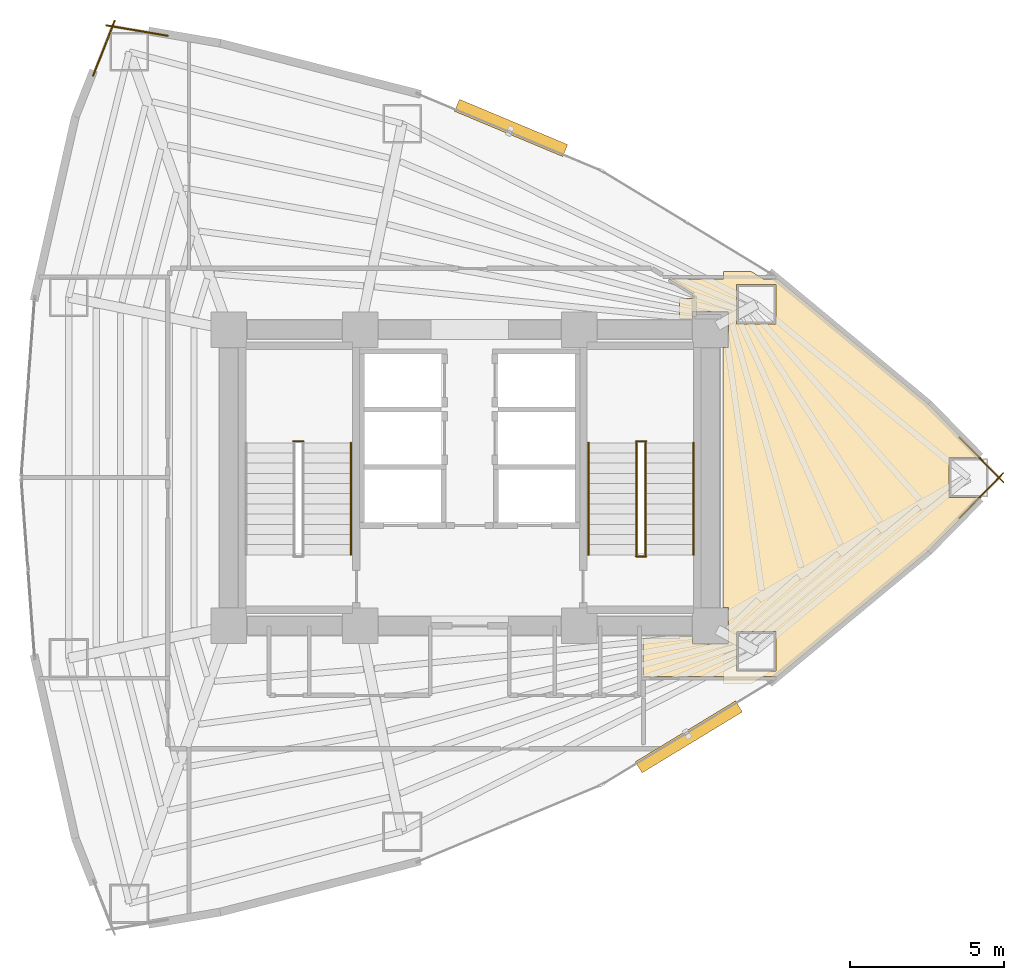
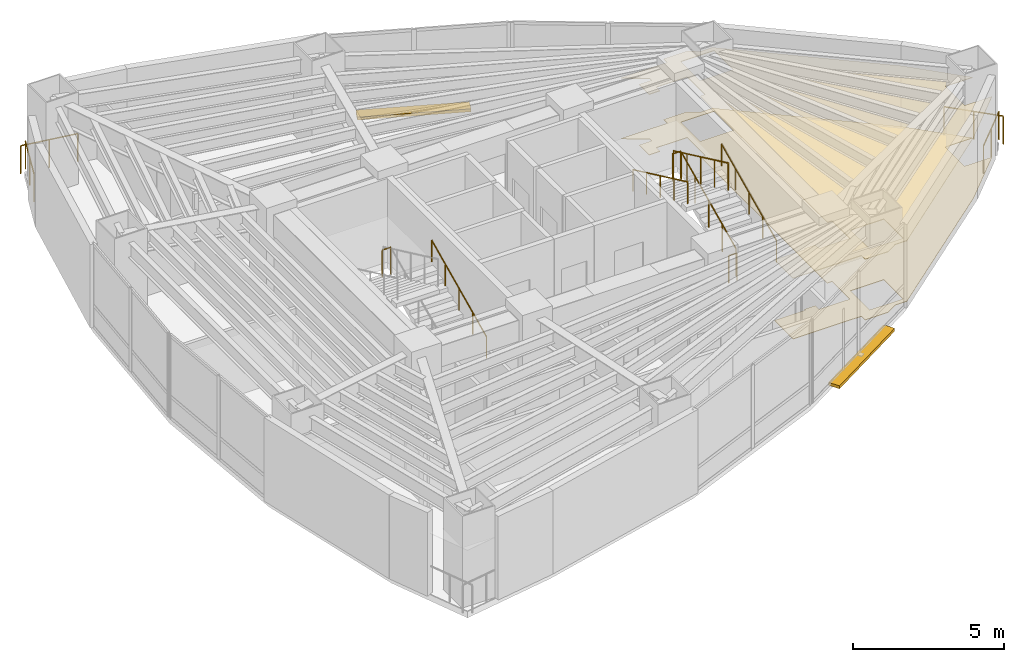
# One storey, part 16 of 16: 12 railings, 2 coverings, 2 shading devices.
"""IFC4 building model written with IfcOpenShell, lengths in metres."""

from ifc_helpers import new_model, si_unit, direction, frame, origin, origin_2d, place, context, subcontext, project, spatial, polyline, rectangle, circle, outline, extrude, material, layer, layer_set, type_object, element, save


model = new_model("IFC4")

# Units and contexts
model_context = context("Model", 3, precision=1e-05, world=origin(), true_north=direction((0.0, 1.0)))
body_context = subcontext(model_context, "Body", "Model", "MODEL_VIEW")
ifc_project = project(units=[si_unit("LENGTHUNIT", "METRE"), si_unit("AREAUNIT", "SQUARE_METRE"), si_unit("VOLUMEUNIT", "CUBIC_METRE"), si_unit("PLANEANGLEUNIT", "RADIAN"), si_unit("MASSUNIT", "GRAM", prefix="KILO")], contexts=[model_context])

# Site, building, storey
site_placement = place(None, origin())
site = spatial("IfcSite", under=ifc_project, at=site_placement, CompositionType="ELEMENT")
building_placement = place(site_placement, origin())
building = spatial("IfcBuilding", under=site, at=building_placement, Name="Menara Vayukalpa", CompositionType="ELEMENT")
storey_placement = place(building_placement, frame((0.0, 0.0, 79.679931640625)))
storey = spatial("IfcBuildingStorey", under=building, at=storey_placement, Name="L19", CompositionType="ELEMENT", Elevation=79.679931640625)

# Coverings
ifc_material_1 = material(Name="Mineral Fibre Acoustic Ceiling Tile", Category="masonry")
ifc_layer_1 = layer(ifc_material_1, 0.02490234375)
ifc_layer_set_1 = layer_set([ifc_layer_1], Name="Mineral Fibre Acoustic Ceiling Tile")
covering_type_1 = type_object("IfcCoveringType", Name="COV-CLG1", PredefinedType="CEILING", material=ifc_layer_set_1)
covering_1_placement = place(storey_placement, frame((0.0, 0.0, 2.449951171875)))
element("IfcCovering", 1, at=covering_1_placement, inside=storey, type_object=covering_type_1, Name="L19 Open Plan Office Workplace Acoustic Ceiling", PredefinedType="CEILING", context=body_context, shape_type="SweptSolid", body=[
    extrude(outline(polyline([(31.218994140625, 15.56005859375), (31.218017578125, 15.560302734375), (31.217041015625, 15.560302734375), (31.21630859375, 15.560791015625), (31.21533203125, 15.561279296875), (31.21435546875, 15.561767578125), (31.213623046875, 15.562255859375), (31.212890625, 15.56298828125), (31.21240234375, 15.563720703125), (31.211669921875, 15.564453125), (31.211181640625, 15.565185546875), (31.210693359375, 15.566162109375), (31.21044921875, 15.567138671875), (31.210205078125, 15.568115234375), (31.2099609375, 15.569091796875), (31.2099609375, 15.570068359375), (31.2099609375, 16.780029296875), (31.2099609375, 16.781005859375), (31.210205078125, 16.781982421875), (31.21044921875, 16.782958984375), (31.210693359375, 16.78369140625), (31.211181640625, 16.78466796875), (31.211669921875, 16.78564453125), (31.21240234375, 16.786376953125), (31.212890625, 16.787109375), (31.213623046875, 16.78759765625), (31.21435546875, 16.788330078125), (31.21533203125, 16.788818359375), (31.21630859375, 16.789306640625), (31.217041015625, 16.78955078125), (31.218017578125, 16.789794921875), (31.218994140625, 16.7900390625), (31.219970703125, 16.7900390625), (32.389892578125, 16.7900390625), (32.389892578125, 16.85009765625), (32.81005859375, 16.85009765625), (32.81005859375, 16.610107421875), (33.989990234375, 16.610107421875), (33.989990234375, 17.7900390625), (33.81005859375, 17.7900390625), (33.81005859375, 26.2099609375), (33.989990234375, 26.2099609375), (33.989990234375, 27.389892578125), (32.81005859375, 27.389892578125), (32.81005859375, 27.14990234375), (32.389892578125, 27.14990234375), (32.389892578125, 27.81005859375), (32.8701171875, 27.81005859375), (32.8701171875, 27.89111328125), (32.86962890625, 27.8984375), (32.868408203125, 27.905517578125), (32.86669921875, 27.912353515625), (32.8642578125, 27.919189453125), (32.861083984375, 27.925537109375), (32.857177734375, 27.931640625), (32.852783203125, 27.937255859375), (32.847900390625, 27.9423828125), (32.84228515625, 27.947021484375), (32.836181640625, 27.951171875), (32.06201171875, 28.42138671875), (32.06103515625, 28.422119140625), (32.060302734375, 28.422607421875), (32.0595703125, 28.42333984375), (32.05908203125, 28.424072265625), (32.05859375, 28.425048828125), (32.05810546875, 28.42578125), (32.0576171875, 28.4267578125), (32.057373046875, 28.427734375), (32.05712890625, 28.4287109375), (32.05712890625, 28.4296875), (32.05712890625, 28.4306640625), (32.05712890625, 28.431640625), (32.0576171875, 28.4326171875), (32.057861328125, 28.43359375), (32.05810546875, 28.4345703125), (32.05859375, 28.435302734375), (32.059326171875, 28.436279296875), (32.059814453125, 28.43701171875), (32.060791015625, 28.437744140625), (32.0615234375, 28.438232421875), (32.062255859375, 28.438720703125), (32.063232421875, 28.439208984375), (32.064208984375, 28.439697265625), (32.065185546875, 28.439697265625), (32.066162109375, 28.43994140625), (32.067138671875, 28.43994140625), (33.826904296875, 28.43994140625), (33.826904296875, 28.681640625), (34.71533203125, 28.681640625), (35.11328125, 28.43994140625), (35.5244140625, 28.43994140625), (35.530517578125, 28.440185546875), (35.5361328125, 28.441162109375), (35.5419921875, 28.442626953125), (35.54736328125, 28.444580078125), (35.5498046875, 28.445556640625), (35.550537109375, 28.446044921875), (35.551513671875, 28.4462890625), (35.552490234375, 28.446533203125), (35.55322265625, 28.446533203125), (35.55419921875, 28.446533203125), (35.55517578125, 28.446533203125), (35.55615234375, 28.4462890625), (35.55712890625, 28.446044921875), (35.55810546875, 28.44580078125), (35.558837890625, 28.4453125), (35.5595703125, 28.44482421875), (35.560302734375, 28.4443359375), (40.46044921875, 24.380615234375), (40.461181640625, 24.3798828125), (42.169677734375, 22.639892578125), (41.121826171875, 22.639892578125), (41.121826171875, 21.360107421875), (42.169677734375, 21.360107421875), (40.461181640625, 19.6201171875), (40.46044921875, 19.619384765625), (35.560302734375, 15.5556640625), (35.5595703125, 15.55517578125), (35.558837890625, 15.5546875), (35.55810546875, 15.55419921875), (35.55712890625, 15.553955078125), (35.55615234375, 15.5537109375), (35.55517578125, 15.553466796875), (35.55419921875, 15.553466796875), (35.55322265625, 15.553466796875), (35.552490234375, 15.553466796875), (35.551513671875, 15.5537109375), (35.550537109375, 15.553955078125), (35.5498046875, 15.554443359375), (35.54736328125, 15.555419921875), (35.5419921875, 15.557373046875), (35.5361328125, 15.558837890625), (35.530517578125, 15.559814453125), (35.5244140625, 15.56005859375), (35.11328125, 15.56005859375), (34.71533203125, 15.318359375), (33.826904296875, 15.318359375), (33.826904296875, 15.56005859375), (31.219970703125, 15.56005859375), (31.218994140625, 15.56005859375)]), holes=[polyline([(35.52685546875, 17.018310546875), (34.246826171875, 17.018310546875), (34.246826171875, 15.73828125), (35.52685546875, 15.73828125), (35.52685546875, 17.018310546875)]), polyline([(35.52685546875, 26.981689453125), (35.52685546875, 28.26171875), (34.246826171875, 28.26171875), (34.246826171875, 26.981689453125), (35.52685546875, 26.981689453125)])]), origin(), (0.0, 0.0, 1.0), 0.025146484375),
])
ifc_material_2 = material(Name="Porcelain Stoneware Floor Tile", Category="masonry")
ifc_layer_2 = layer(ifc_material_2, 0.02001953125)
ifc_layer_set_2 = layer_set([ifc_layer_2], Name="Porcelain Stoneware Floor Tile")
covering_type_2 = type_object("IfcCoveringType", Name="COV-FLR1", PredefinedType="FLOORING", material=ifc_layer_set_2)
covering_2_placement = place(storey_placement, origin())
element("IfcCovering", 2, at=covering_2_placement, inside=storey, type_object=covering_type_2, Name="L19 Open Plan Office Workplace Porcelain Flooring", PredefinedType="FLOORING", context=body_context, shape_type="SweptSolid", body=[
    extrude(outline(polyline([(31.218994140625, 15.56005859375), (31.218017578125, 15.560302734375), (31.217041015625, 15.560302734375), (31.21630859375, 15.560791015625), (31.21533203125, 15.561279296875), (31.21435546875, 15.561767578125), (31.213623046875, 15.562255859375), (31.212890625, 15.56298828125), (31.21240234375, 15.563720703125), (31.211669921875, 15.564453125), (31.211181640625, 15.565185546875), (31.210693359375, 15.566162109375), (31.21044921875, 15.567138671875), (31.210205078125, 15.568115234375), (31.2099609375, 15.569091796875), (31.2099609375, 15.570068359375), (31.2099609375, 16.780029296875), (31.2099609375, 16.781005859375), (31.210205078125, 16.781982421875), (31.21044921875, 16.782958984375), (31.210693359375, 16.78369140625), (31.211181640625, 16.78466796875), (31.211669921875, 16.78564453125), (31.21240234375, 16.786376953125), (31.212890625, 16.787109375), (31.213623046875, 16.78759765625), (31.21435546875, 16.788330078125), (31.21533203125, 16.788818359375), (31.21630859375, 16.789306640625), (31.217041015625, 16.78955078125), (31.218017578125, 16.789794921875), (31.218994140625, 16.7900390625), (31.219970703125, 16.7900390625), (32.389892578125, 16.7900390625), (32.389892578125, 16.85009765625), (32.81005859375, 16.85009765625), (32.81005859375, 16.610107421875), (33.989990234375, 16.610107421875), (33.989990234375, 17.7900390625), (33.81005859375, 17.7900390625), (33.81005859375, 26.2099609375), (33.989990234375, 26.2099609375), (33.989990234375, 27.389892578125), (32.81005859375, 27.389892578125), (32.81005859375, 27.14990234375), (32.389892578125, 27.14990234375), (32.389892578125, 27.81005859375), (32.8701171875, 27.81005859375), (32.8701171875, 27.89111328125), (32.86962890625, 27.8984375), (32.868408203125, 27.905517578125), (32.86669921875, 27.912353515625), (32.8642578125, 27.919189453125), (32.861083984375, 27.925537109375), (32.857177734375, 27.931640625), (32.852783203125, 27.937255859375), (32.847900390625, 27.9423828125), (32.84228515625, 27.947021484375), (32.836181640625, 27.951171875), (32.06201171875, 28.42138671875), (32.06103515625, 28.422119140625), (32.060302734375, 28.422607421875), (32.0595703125, 28.42333984375), (32.05908203125, 28.424072265625), (32.05859375, 28.425048828125), (32.05810546875, 28.42578125), (32.0576171875, 28.4267578125), (32.057373046875, 28.427734375), (32.05712890625, 28.4287109375), (32.05712890625, 28.4296875), (32.05712890625, 28.4306640625), (32.05712890625, 28.431640625), (32.0576171875, 28.4326171875), (32.057861328125, 28.43359375), (32.05810546875, 28.4345703125), (32.05859375, 28.435302734375), (32.059326171875, 28.436279296875), (32.059814453125, 28.43701171875), (32.060791015625, 28.437744140625), (32.0615234375, 28.438232421875), (32.062255859375, 28.438720703125), (32.063232421875, 28.439208984375), (32.064208984375, 28.439697265625), (32.065185546875, 28.439697265625), (32.066162109375, 28.43994140625), (32.067138671875, 28.43994140625), (33.826904296875, 28.43994140625), (33.826904296875, 28.681640625), (34.71533203125, 28.681640625), (35.11328125, 28.43994140625), (35.5244140625, 28.43994140625), (35.530517578125, 28.440185546875), (35.5361328125, 28.441162109375), (35.5419921875, 28.442626953125), (35.54736328125, 28.444580078125), (35.5498046875, 28.445556640625), (35.550537109375, 28.446044921875), (35.551513671875, 28.4462890625), (35.552490234375, 28.446533203125), (35.55322265625, 28.446533203125), (35.55419921875, 28.446533203125), (35.55517578125, 28.446533203125), (35.55615234375, 28.4462890625), (35.55712890625, 28.446044921875), (35.55810546875, 28.44580078125), (35.558837890625, 28.4453125), (35.5595703125, 28.44482421875), (35.560302734375, 28.4443359375), (40.46044921875, 24.380615234375), (40.461181640625, 24.3798828125), (42.169677734375, 22.639892578125), (41.121826171875, 22.639892578125), (41.121826171875, 21.360107421875), (42.169677734375, 21.360107421875), (40.461181640625, 19.6201171875), (40.46044921875, 19.619384765625), (35.560302734375, 15.5556640625), (35.5595703125, 15.55517578125), (35.558837890625, 15.5546875), (35.55810546875, 15.55419921875), (35.55712890625, 15.553955078125), (35.55615234375, 15.5537109375), (35.55517578125, 15.553466796875), (35.55419921875, 15.553466796875), (35.55322265625, 15.553466796875), (35.552490234375, 15.553466796875), (35.551513671875, 15.5537109375), (35.550537109375, 15.553955078125), (35.5498046875, 15.554443359375), (35.54736328125, 15.555419921875), (35.5419921875, 15.557373046875), (35.5361328125, 15.558837890625), (35.530517578125, 15.559814453125), (35.5244140625, 15.56005859375), (35.11328125, 15.56005859375), (34.71533203125, 15.318359375), (33.826904296875, 15.318359375), (33.826904296875, 15.56005859375), (31.219970703125, 15.56005859375), (31.218994140625, 15.56005859375)]), holes=[polyline([(35.52685546875, 17.018310546875), (34.246826171875, 17.018310546875), (34.246826171875, 15.73828125), (35.52685546875, 15.73828125), (35.52685546875, 17.018310546875)]), polyline([(35.52685546875, 26.981689453125), (35.52685546875, 28.26171875), (34.246826171875, 28.26171875), (34.246826171875, 26.981689453125), (35.52685546875, 26.981689453125)])]), origin(), (0.0, 0.0, 1.0), 0.02001953125),
])

# Railings
ifc_material_3 = material(Name="Laminated Glass and Stainless Steel 316 Guardrail", Category="steel")
railing_type_1 = type_object("IfcRailingType", Name="RLG-EXT115", PredefinedType="GUARDRAIL", material=ifc_material_3)
railing_1_placement = place(storey_placement, frame((41.458740234375, 20.693115234375, 0.0)))
element("IfcRailing", 3, at=railing_1_placement, inside=storey, type_object=railing_type_1, Name="L19 Column Corner Spandrel Guardrail 01-1", PredefinedType="GUARDRAIL", context=body_context, shape_type="SweptSolid", body=[
    extrude(circle(Radius=0.02392578125, at=origin_2d()), frame((0.0, 0.0, 1.1259765625), z_axis=(0.700555740742, 0.713597683652, 0.0), x_axis=(-0.713597683652, 0.700555740742, 0.0)), (0.0, 0.0, 1.0), 2.04052734375),
    extrude(circle(Radius=0.02099609375, at=origin_2d()), origin(), (0.0, 0.0, 1.0), 1.101806640625),
    extrude(circle(Radius=0.02099609375, at=origin_2d()), frame((0.71484375, 0.72802734375, 0.0)), (0.0, 0.0, 1.0), 1.101806640625),
    extrude(circle(Radius=0.02099609375, at=origin_2d()), frame((1.429443359375, 1.4560546875, 0.0)), (0.0, 0.0, 1.0), 1.101806640625),
])
railing_2_placement = place(storey_placement, frame((42.88818359375, 21.850830078125, 0.0)))
element("IfcRailing", 4, at=railing_2_placement, inside=storey, type_object=railing_type_1, Name="L19 Column Corner Spandrel Guardrail 02-1", PredefinedType="GUARDRAIL", context=body_context, shape_type="SweptSolid", body=[
    extrude(circle(Radius=0.02392578125, at=origin_2d()), frame((0.0, 0.0, 1.1259765625), z_axis=(-0.700555740742, 0.713597683652, 0.0), x_axis=(-0.713597683652, -0.700555740742, 0.0)), (0.0, 0.0, 1.0), 2.04052734375),
    extrude(circle(Radius=0.02099609375, at=origin_2d()), origin(), (0.0, 0.0, 1.0), 1.101806640625),
    extrude(circle(Radius=0.02099609375, at=origin_2d()), frame((-0.71484375, 0.72802734375, 0.0)), (0.0, 0.0, 1.0), 1.101806640625),
    extrude(circle(Radius=0.02099609375, at=origin_2d()), frame((-1.429443359375, 1.4560546875, 0.0)), (0.0, 0.0, 1.0), 1.101806640625),
])
railing_3_placement = place(storey_placement, frame((15.818359375, 36.315673828125, 0.0)))
element("IfcRailing", 5, at=railing_3_placement, inside=storey, type_object=railing_type_1, Name="L19 Column Corner Spandrel Guardrail 07-1", PredefinedType="GUARDRAIL", context=body_context, shape_type="SweptSolid", body=[
    extrude(circle(Radius=0.02392578125, at=origin_2d()), frame((0.0, 0.0, 1.1259765625), z_axis=(-0.985895977605, 0.16735925831, 0.0), x_axis=(-0.16735925831, -0.985895977605, 0.0)), (0.0, 0.0, 1.0), 2.01904296875),
    extrude(circle(Radius=0.02099609375, at=origin_2d()), origin(), (0.0, 0.0, 1.0), 1.101806640625),
    extrude(circle(Radius=0.02099609375, at=origin_2d()), frame((-0.9951171875, 0.1689453125, 0.0)), (0.0, 0.0, 1.0), 1.101806640625),
    extrude(circle(Radius=0.02099609375, at=origin_2d()), frame((-1.990478515625, 0.337890625, 0.0)), (0.0, 0.0, 1.0), 1.101806640625),
])
railing_4_placement = place(storey_placement, frame((14.09912109375, 36.806640625, 0.0)))
element("IfcRailing", 6, at=railing_4_placement, inside=storey, type_object=railing_type_1, Name="L19 Column Corner Spandrel Guardrail 08-1", PredefinedType="GUARDRAIL", context=body_context, shape_type="SweptSolid", body=[
    extrude(circle(Radius=0.02392578125, at=origin_2d()), frame((0.0, 0.0, 1.1259765625), z_axis=(-0.365573386764, -0.930782519652, 0.0), x_axis=(0.930782519652, -0.365573386764, 0.0)), (0.0, 0.0, 1.0), 1.91259765625),
    extrude(circle(Radius=0.02099609375, at=origin_2d()), origin(), (0.0, 0.0, 1.0), 1.101806640625),
    extrude(circle(Radius=0.02099609375, at=origin_2d()), frame((-0.349609375, -0.89013671875, 0.0)), (0.0, 0.0, 1.0), 1.101806640625),
    extrude(circle(Radius=0.02099609375, at=origin_2d()), frame((-0.69921875, -1.7802734375, 0.0)), (0.0, 0.0, 1.0), 1.101806640625),
])
ifc_material_4 = material(Name="Powder-Coated Galvanised Steel Guardrail", Category="steel")
railing_type_2 = type_object("IfcRailingType", Name="RLG-STG110", PredefinedType="GUARDRAIL", material=ifc_material_4)
railing_5_placement = place(storey_placement, frame((20.2099609375, 23.179931640625, 1.860107421875)))
element("IfcRailing", 7, at=railing_5_placement, inside=storey, type_object=railing_type_2, Name="L19 ST-1 stair guard 2", PredefinedType="GUARDRAIL", context=body_context, shape_type="SweptSolid", body=[
    extrude(circle(Radius=0.02392578125, at=origin_2d()), frame((0.0, 0.0, 1.09619140625), z_axis=(-1.0, 0.0, 0.0), x_axis=(0.0, -1.0, 0.0)), (0.0, 0.0, 1.0), 0.320068359375),
    extrude(circle(Radius=0.02099609375, at=origin_2d()), origin(), (0.0, 0.0, 1.0), 1.072021484375),
    extrude(circle(Radius=0.02099609375, at=origin_2d()), frame((-0.320068359375, 0.0, 0.0)), (0.0, 0.0, 1.0), 1.072021484375),
])
railing_6_placement = place(storey_placement, frame((31.300048828125, 19.5, 0.155029296875)))
element("IfcRailing", 8, at=railing_6_placement, inside=storey, type_object=railing_type_2, Name="L19 ST-2 stair guard 1", PredefinedType="GUARDRAIL", context=body_context, shape_type="SweptSolid", body=[
    extrude(circle(Radius=0.02392578125, at=origin_2d()), frame((0.0, 0.0, 1.09619140625), z_axis=(0.0, 0.90511648382, 0.425163675209), x_axis=(-1.0, 0.0, 0.0)), (0.0, 0.0, 1.0), 4.010498046875),
    extrude(circle(Radius=0.02099609375, at=origin_2d()), origin(), (0.0, 0.0, 1.0), 1.072021484375),
    extrude(circle(Radius=0.02099609375, at=origin_2d()), frame((0.0, 0.907470703125, 0.42626953125)), (0.0, 0.0, 1.0), 1.072021484375),
    extrude(circle(Radius=0.02099609375, at=origin_2d()), frame((0.0, 1.81494140625, 0.8525390625)), (0.0, 0.0, 1.0), 1.072021484375),
    extrude(circle(Radius=0.02099609375, at=origin_2d()), frame((0.0, 2.722412109375, 1.27880859375)), (0.0, 0.0, 1.0), 1.072021484375),
    extrude(circle(Radius=0.02099609375, at=origin_2d()), frame((0.0, 3.6298828125, 1.705078125)), (0.0, 0.0, 1.0), 1.072021484375),
])
railing_7_placement = place(storey_placement, frame((31.31005859375, 23.179931640625, 1.860107421875)))
element("IfcRailing", 9, at=railing_7_placement, inside=storey, type_object=railing_type_2, Name="L19 ST-2 stair guard 2", PredefinedType="GUARDRAIL", context=body_context, shape_type="SweptSolid", body=[
    extrude(circle(Radius=0.02392578125, at=origin_2d()), frame((0.0, 0.0, 1.09619140625), z_axis=(-1.0, 0.0, 0.0), x_axis=(0.0, -1.0, 0.0)), (0.0, 0.0, 1.0), 0.320068359375),
    extrude(circle(Radius=0.02099609375, at=origin_2d()), origin(), (0.0, 0.0, 1.0), 1.072021484375),
    extrude(circle(Radius=0.02099609375, at=origin_2d()), frame((-0.320068359375, 0.0, 0.0)), (0.0, 0.0, 1.0), 1.072021484375),
])
railing_8_placement = place(storey_placement, frame((31.0, 23.1298828125, 2.01513671875)))
element("IfcRailing", 10, at=railing_8_placement, inside=storey, type_object=railing_type_2, Name="L19 ST-2 stair guard 3", PredefinedType="GUARDRAIL", context=body_context, shape_type="SweptSolid", body=[
    extrude(circle(Radius=0.02392578125, at=origin_2d()), frame((0.0, 0.0, 1.09619140625), z_axis=(0.0, -0.90513990983, 0.425113800803), x_axis=(1.0, 0.0, 0.0)), (0.0, 0.0, 1.0), 4.01025390625),
    extrude(circle(Radius=0.02099609375, at=origin_2d()), origin(), (0.0, 0.0, 1.0), 1.072021484375),
    extrude(circle(Radius=0.02099609375, at=origin_2d()), frame((0.0, -0.907470703125, 0.42626953125)), (0.0, 0.0, 1.0), 1.072021484375),
    extrude(circle(Radius=0.02099609375, at=origin_2d()), frame((0.0, -1.81494140625, 0.8525390625)), (0.0, 0.0, 1.0), 1.072021484375),
    extrude(circle(Radius=0.02099609375, at=origin_2d()), frame((0.0, -2.722412109375, 1.278564453125)), (0.0, 0.0, 1.0), 1.072021484375),
    extrude(circle(Radius=0.02099609375, at=origin_2d()), frame((0.0, -3.6298828125, 1.704833984375)), (0.0, 0.0, 1.0), 1.072021484375),
])
railing_9_placement = place(storey_placement, frame((31.31005859375, 19.449951171875, 0.0)))
element("IfcRailing", 11, at=railing_9_placement, inside=storey, type_object=railing_type_2, Name="L19 ST-2 stair guard 4", PredefinedType="GUARDRAIL", context=body_context, shape_type="SweptSolid", body=[
    extrude(circle(Radius=0.02392578125, at=origin_2d()), frame((0.0, 0.0, 1.09619140625), z_axis=(-1.0, 0.0, 0.0), x_axis=(0.0, -1.0, 0.0)), (0.0, 0.0, 1.0), 0.320068359375),
    extrude(circle(Radius=0.02099609375, at=origin_2d()), origin(), (0.0, 0.0, 1.0), 1.072021484375),
    extrude(circle(Radius=0.02099609375, at=origin_2d()), frame((-0.320068359375, 0.0, 0.0)), (0.0, 0.0, 1.0), 1.072021484375),
])
ifc_material_5 = material(Name="Stainless Steel 316 Tubular Handrail", Category="steel")
railing_type_3 = type_object("IfcRailingType", Name="RLG-STH090", PredefinedType="HANDRAIL", material=ifc_material_5)
for number, where, name in (
    (12, (21.75, 19.5, 0.155029296875), "L19 ST-1 stair handrail 1"),
    (13, (32.85009765625, 19.5, 0.155029296875), "L19 ST-2 stair handrail 1"),
):
    element("IfcRailing", number, at=place(storey_placement, frame(where)), inside=storey, type_object=railing_type_3, Name=name, PredefinedType="HANDRAIL", context=body_context, shape_type="SweptSolid", body=[
        extrude(circle(Radius=0.02392578125, at=origin_2d()), frame((0.0, 0.0, 0.8759765625), z_axis=(0.0, 0.90511648382, 0.425163675209), x_axis=(-1.0, 0.0, 0.0)), (0.0, 0.0, 1.0), 4.010498046875),
        extrude(circle(Radius=0.02099609375, at=origin_2d()), origin(), (0.0, 0.0, 1.0), 0.851806640625),
        extrude(circle(Radius=0.02099609375, at=origin_2d()), frame((0.0, 0.907470703125, 0.42626953125)), (0.0, 0.0, 1.0), 0.851806640625),
        extrude(circle(Radius=0.02099609375, at=origin_2d()), frame((0.0, 1.81494140625, 0.8525390625)), (0.0, 0.0, 1.0), 0.851806640625),
        extrude(circle(Radius=0.02099609375, at=origin_2d()), frame((0.0, 2.722412109375, 1.27880859375)), (0.0, 0.0, 1.0), 0.851806640625),
        extrude(circle(Radius=0.02099609375, at=origin_2d()), frame((0.0, 3.6298828125, 1.705078125)), (0.0, 0.0, 1.0), 0.851806640625),
    ])
railing_10_placement = place(storey_placement, frame((29.449951171875, 23.1298828125, 2.01513671875)))
element("IfcRailing", 14, at=railing_10_placement, inside=storey, type_object=railing_type_3, Name="L19 ST-2 stair handrail 2", PredefinedType="HANDRAIL", context=body_context, shape_type="SweptSolid", body=[
    extrude(circle(Radius=0.02392578125, at=origin_2d()), frame((0.0, 0.0, 0.8759765625), z_axis=(0.0, -0.90513990983, 0.425113800803), x_axis=(1.0, 0.0, 0.0)), (0.0, 0.0, 1.0), 4.01025390625),
    extrude(circle(Radius=0.02099609375, at=origin_2d()), origin(), (0.0, 0.0, 1.0), 0.851806640625),
    extrude(circle(Radius=0.02099609375, at=origin_2d()), frame((0.0, -0.907470703125, 0.42626953125)), (0.0, 0.0, 1.0), 0.851806640625),
    extrude(circle(Radius=0.02099609375, at=origin_2d()), frame((0.0, -1.81494140625, 0.8525390625)), (0.0, 0.0, 1.0), 0.851806640625),
    extrude(circle(Radius=0.02099609375, at=origin_2d()), frame((0.0, -2.722412109375, 1.278564453125)), (0.0, 0.0, 1.0), 0.851806640625),
    extrude(circle(Radius=0.02099609375, at=origin_2d()), frame((0.0, -3.6298828125, 1.704833984375)), (0.0, 0.0, 1.0), 0.851806640625),
])

# Shading devices
ifc_material_6 = material(Name="Glazed Terracotta Ceramic Baguette Extrusion", Category="masonry")
ifc_layer_3 = layer(ifc_material_6, 0.1201171875)
ifc_layer_set_3 = layer_set([ifc_layer_3], Name="Glazed Terracotta Ceramic Baguette Extrusion")
shading_device_type = type_object("IfcShadingDeviceType", Name="SHD-SS1", PredefinedType="USERDEFINED", material=ifc_layer_set_3)
for number, where, z_axis, x_axis, name in (
    (15, (26.940673828125, 33.33056640625, -0.10009765625), (0.0, 0.0, 1.0), (-0.922544824647, 0.385889940938, 0.0), "L19 Horizontal Terracotta Sunshade Band 05"),
    (16, (32.698486328125, 13.601806640625, -0.10009765625), (0.0, 0.0, 1.0), (0.85466730962, 0.519176068272, 0.0), "L19 Horizontal Terracotta Sunshade Band 17"),
):
    element("IfcShadingDevice", number, at=place(storey_placement, frame(where, z_axis=z_axis, x_axis=x_axis)), inside=storey, type_object=shading_device_type, Name=name, ObjectType="SUNSHADE", PredefinedType="USERDEFINED", context=body_context, shape_type="SweptSolid", body=[
        extrude(rectangle(XDim=3.800048828125, YDim=0.419921875, at=origin_2d()), origin(), (0.0, 0.0, 1.0), 0.1201171875),
    ])

save(model, "model.ifc")
